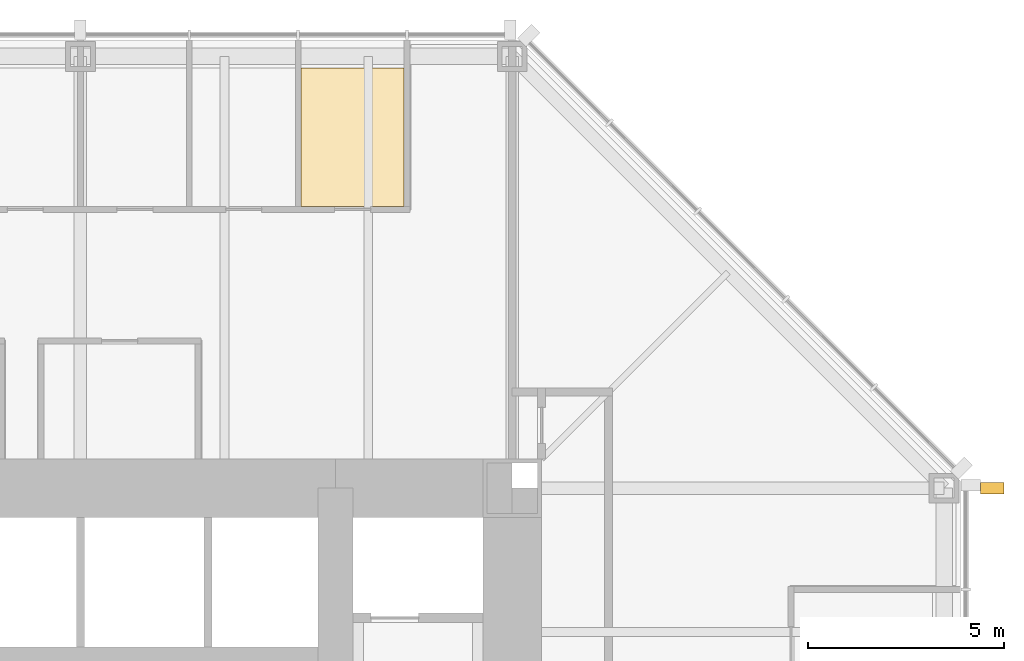
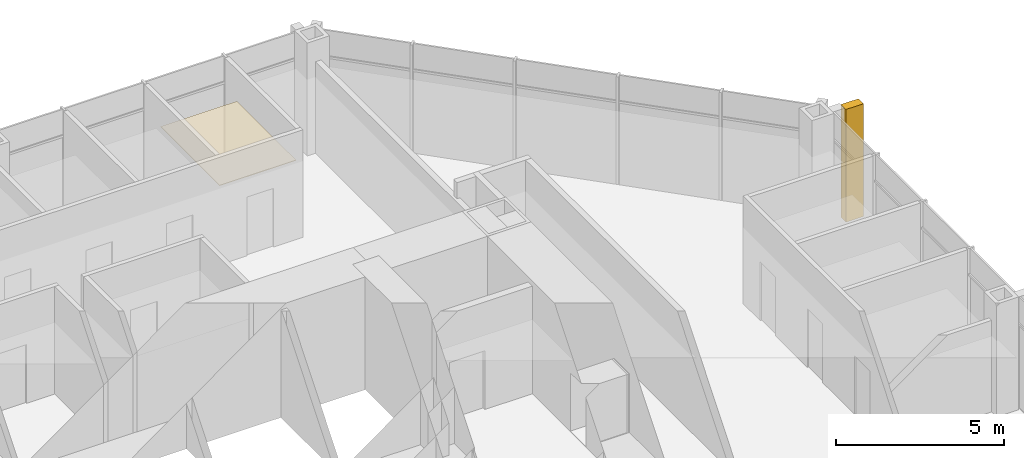
# One storey, part 14 of 14: 2 coverings.
"""IFC4 building model written with IfcOpenShell, lengths in metres."""

from ifc_helpers import new_model, si_unit, direction, frame, origin, origin_2d, place, context, subcontext, project, spatial, polyline, rectangle, outline, extrude, material, layer, layer_set, type_object, element, save


model = new_model("IFC4")

# Units and contexts
model_context = context("Model", 3, precision=1e-05, world=origin(), true_north=direction((0.0, 1.0)))
body_context = subcontext(model_context, "Body", "Model", "MODEL_VIEW")
ifc_project = project(units=[si_unit("LENGTHUNIT", "METRE"), si_unit("AREAUNIT", "SQUARE_METRE"), si_unit("VOLUMEUNIT", "CUBIC_METRE"), si_unit("PLANEANGLEUNIT", "RADIAN"), si_unit("MASSUNIT", "GRAM", prefix="KILO")], contexts=[model_context])

# Site, building, storey
site_placement = place(None, origin())
site = spatial("IfcSite", under=ifc_project, at=site_placement, CompositionType="ELEMENT")
building_placement = place(site_placement, origin())
building = spatial("IfcBuilding", under=site, at=building_placement, Name="Trevanion Tower", CompositionType="ELEMENT")
storey_placement = place(building_placement, frame((0.0, 0.0, 104.89990234375)))
storey = spatial("IfcBuildingStorey", under=building, at=storey_placement, Name="L24", CompositionType="ELEMENT", Elevation=104.89990234375)

# Coverings
ifc_material_1 = material(Name="Mineral fibre acoustic tiles in exposed grid", Category="mineral fibre")
ifc_layer = layer(ifc_material_1, 0.02001953125)
ifc_layer_set = layer_set([ifc_layer], Name="CL2 acoustic tile ceiling 20")
covering_type_1 = type_object("IfcCoveringType", Name="CL2 acoustic tile ceiling 20", PredefinedType="CEILING", material=ifc_layer_set)
covering_1_placement = place(storey_placement, frame((0.0, 0.0, 2.75)))
element("IfcCovering", 1, at=covering_1_placement, inside=storey, type_object=covering_type_1, Name="CL2 L24-OF7", PredefinedType="CEILING", context=body_context, shape_type="SweptSolid", body=[
    extrude(outline(polyline([(8.248046875, 18.175048828125), (5.6240234375, 18.175048828125), (5.6240234375, 21.699951171875), (8.248046875, 21.699951171875), (8.248046875, 18.175048828125)])), origin(), (0.0, 0.0, 1.0), 0.02001953125),
])
ifc_material_2 = material(Name="Cast bronze fin on aluminium carrier", Category="aluminium")
covering_type_2 = type_object("IfcCoveringType", Name="F1 bronze fin", PredefinedType="CLADDING", material=ifc_material_2)
covering_2_placement = place(storey_placement, frame((23.22509765625, 11.0, -0.18994140625), z_axis=(0.0, 0.0, 1.0), x_axis=(0.0, 1.0, 0.0)))
element("IfcCovering", 2, at=covering_2_placement, inside=storey, type_object=covering_type_2, Name="F1 L24 east +11.0", PredefinedType="CLADDING", context=body_context, shape_type="SweptSolid", body=[
    extrude(rectangle(XDim=0.300048828125, YDim=0.60009765625, at=origin_2d()), origin(), (0.0, 0.0, 1.0), 4.10009765625),
])

save(model, "model.ifc")
